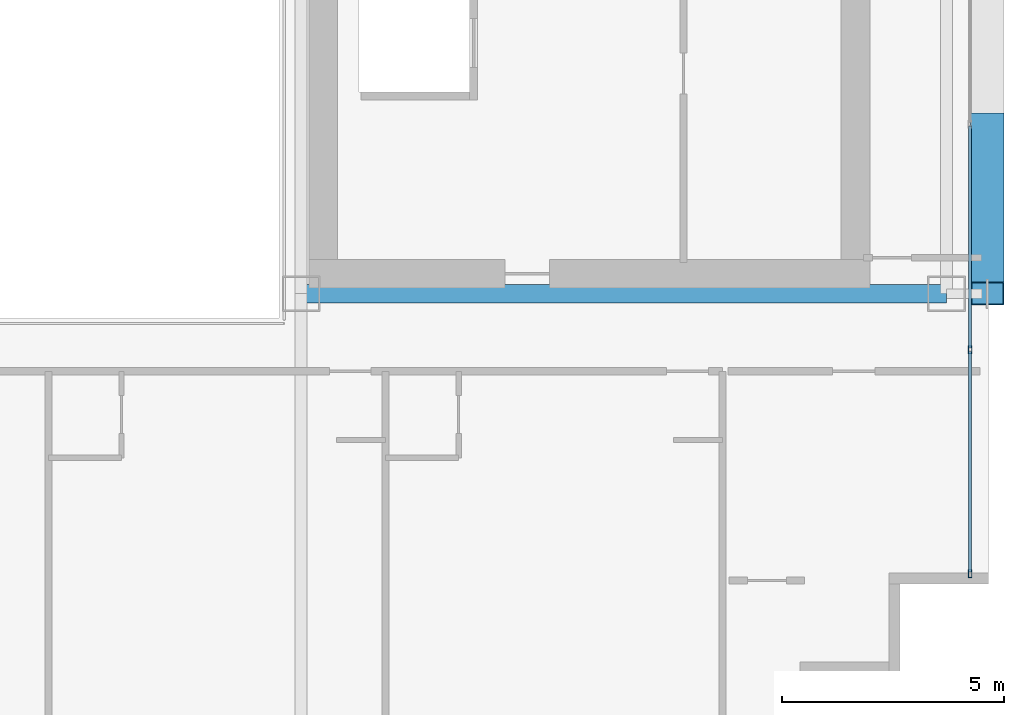
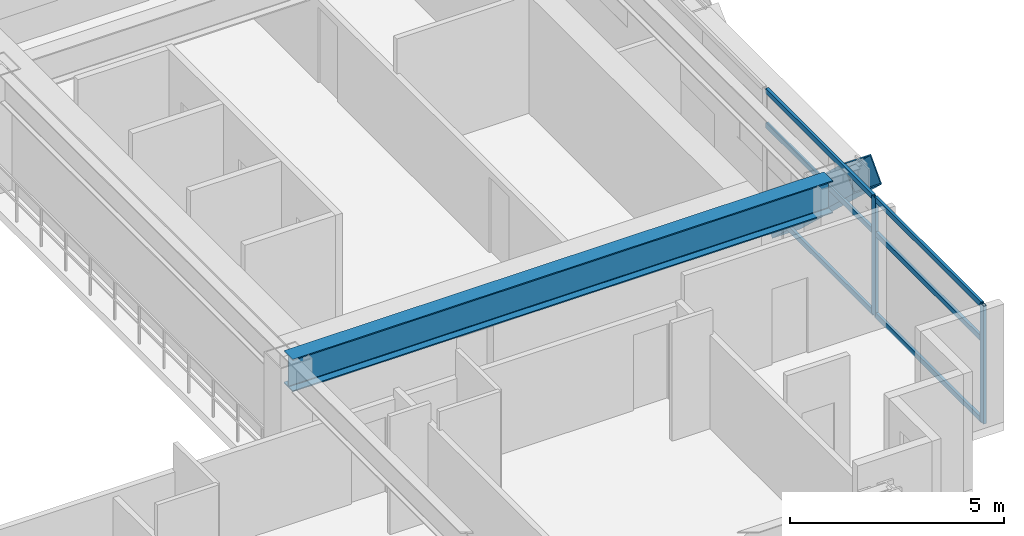
# One storey, part 11 of 35: 9 members, 1 beam, 1 element without a shape of its own.
"""IFC4 building model written with IfcOpenShell, lengths in metres."""

import ifcopenshell
import ifcopenshell.guid

model = None  # the IFC model being written
_history = None  # IfcOwnerHistory: only IFC2X3 demands one
_inside = {}  # id of a spatial element -> (the spatial element, [elements in it])
_under = {}  # id of a project, library or spatial element -> (it, [spatial elements below it])
_declared = {}  # id of a project -> (the project, [libraries it declares])
_typed = {}  # id of a type object -> (the type object, [elements of that type])
_made_of = {}  # id of a material, layer set ... -> (it, [elements and type objects made of it])


def new_model(schema):
    """Start an empty IFC model of exactly this schema.

    Asked for "IFC4X3", IfcOpenShell would pick the latest addendum, in which some entities
    have other attributes; the version numbers below select the first issue.
    IFC2X3 requires an IfcOwnerHistory on every rooted entity: one is made here for all.
    """
    global model, _history
    if schema == "IFC4X3":
        model = ifcopenshell.file(schema_version=(4, 3, 0, 0))
    else:
        model = ifcopenshell.file(schema=schema)
    _inside.clear()
    _under.clear()
    _declared.clear()
    _typed.clear()
    _made_of.clear()
    _history = None
    if model.schema == "IFC2X3":
        org = make("IfcOrganization", Name="unknown")
        user = make(
            "IfcPersonAndOrganization",
            ThePerson=make("IfcPerson", FamilyName="unknown"),
            TheOrganization=org,
        )
        app = make(
            "IfcApplication",
            ApplicationDeveloper=org,
            Version="unknown",
            ApplicationFullName="unknown",
            ApplicationIdentifier="unknown",
        )
        _history = make(
            "IfcOwnerHistory",
            OwningUser=user,
            OwningApplication=app,
            ChangeAction="ADDED",
            CreationDate=0,
        )
    return model


def make(cls, **values):
    """One entity of the class cls with the attributes given. An attribute that is None is left unset."""
    return model.create_entity(
        cls, **{name: value for name, value in values.items() if value is not None}
    )


def rooted(cls, **values):
    """An entity with a GlobalId (a new one), such as an element, a storey or a relation."""
    return make(cls, GlobalId=ifcopenshell.guid.new(), OwnerHistory=_history, **values)


def si_unit(unit_type, name, prefix=None):
    """IfcSIUnit, for example si_unit("LENGTHUNIT", "METRE", prefix="MILLI")."""
    return make("IfcSIUnit", UnitType=unit_type, Prefix=prefix, Name=name)


def assignment(units):
    """IfcUnitAssignment: the units of a project."""
    return None if units is None else make("IfcUnitAssignment", Units=units)


def point(xyz):
    """IfcCartesianPoint."""
    return None if xyz is None else make("IfcCartesianPoint", Coordinates=xyz)


def direction(xyz):
    """IfcDirection."""
    return None if xyz is None else make("IfcDirection", DirectionRatios=xyz)


def frame(location, z_axis=None, x_axis=None):
    """IfcAxis2Placement3D, a coordinate frame: its origin and axes. An axis left out is left unset."""
    return make(
        "IfcAxis2Placement3D",
        Location=point(location),
        Axis=direction(z_axis),
        RefDirection=direction(x_axis),
    )


def frame_2d(location, x_axis=None):
    """IfcAxis2Placement2D, a coordinate frame in the plane: its origin and x axis."""
    return make(
        "IfcAxis2Placement2D", Location=point(location), RefDirection=direction(x_axis)
    )


def origin():
    """The frame at (0, 0, 0) with its axes left unset."""
    return frame((0.0, 0.0, 0.0))


def origin_2d():
    """The frame at (0, 0) in the plane with its x axis left unset."""
    return frame_2d((0.0, 0.0))


def place(relative_to, where):
    """IfcLocalPlacement: puts the frame where relative to a parent placement (None: the world)."""
    return make(
        "IfcLocalPlacement", PlacementRelTo=relative_to, RelativePlacement=where
    )


def context(
    kind, dimensions, precision=None, world=None, true_north=None, identifier=None
):
    """IfcGeometricRepresentationContext, for example the 3D "Model" context."""
    return make(
        "IfcGeometricRepresentationContext",
        ContextIdentifier=identifier,
        ContextType=kind,
        CoordinateSpaceDimension=dimensions,
        Precision=precision,
        WorldCoordinateSystem=world,
        TrueNorth=true_north,
    )


def subcontext(parent, identifier, kind, view, scale=None):
    """IfcGeometricRepresentationSubContext, for example "Body" below "Model"."""
    return make(
        "IfcGeometricRepresentationSubContext",
        ContextIdentifier=identifier,
        ContextType=kind,
        ParentContext=parent,
        TargetScale=scale,
        TargetView=view,
    )


def project(units=None, contexts=None):
    """IfcProject with its units and contexts."""
    return rooted(
        "IfcProject",
        Name="project",
        RepresentationContexts=contexts,
        UnitsInContext=assignment(units),
    )


def spatial(cls, under=None, at=None, **own):
    """A site, building, storey or space (cls), placed at a placement, below another one or the project."""
    s = rooted(cls, ObjectPlacement=at, **own)
    if under is not None:
        _under.setdefault(under.id(), (under, []))[1].append(s)
    return s


def profile(cls, at=None, kind="AREA", **sizes):
    """A parametric profile (cls). Its sizes go by their IFC names, for example OverallWidth=200.0."""
    return make(cls, ProfileType=kind, Position=at, **sizes)


def hollow_rectangle(**sizes):
    """IfcRectangleHollowProfileDef."""
    return profile("IfcRectangleHollowProfileDef", **sizes)


def i_section(**sizes):
    """IfcIShapeProfileDef."""
    return profile("IfcIShapeProfileDef", **sizes)


def extrude(swept, where, along, depth):
    """IfcExtrudedAreaSolid: the profile swept, set in the frame where, extruded along a direction by depth."""
    return make(
        "IfcExtrudedAreaSolid",
        SweptArea=swept,
        Position=where,
        ExtrudedDirection=direction(along),
        Depth=depth,
    )


def shape(context_of_items, identifier, shape_type, items):
    """IfcShapeRepresentation: the items that make up one representation, for example the "Body"."""
    return make(
        "IfcShapeRepresentation",
        ContextOfItems=context_of_items,
        RepresentationIdentifier=identifier,
        RepresentationType=shape_type,
        Items=items,
    )


def source(mapping_origin, context_of_items, identifier, shape_type, items):
    """IfcRepresentationMap: a shape defined once, which mapped items show again and again."""
    return make(
        "IfcRepresentationMap",
        MappingOrigin=mapping_origin,
        MappedRepresentation=shape(context_of_items, identifier, shape_type, items),
    )


def transform(
    local_origin,
    x_axis=None,
    y_axis=None,
    z_axis=None,
    scale=None,
    scale2=None,
    scale3=None,
    uniform=True,
):
    """IfcCartesianTransformationOperator3D, or its non-uniform kind. x_axis, y_axis, z_axis: its Axis1, 2, 3."""
    if uniform:
        return make(
            "IfcCartesianTransformationOperator3D",
            Axis1=direction(x_axis),
            Axis2=direction(y_axis),
            LocalOrigin=point(local_origin),
            Scale=scale,
            Axis3=direction(z_axis),
        )
    return make(
        "IfcCartesianTransformationOperator3DnonUniform",
        Axis1=direction(x_axis),
        Axis2=direction(y_axis),
        LocalOrigin=point(local_origin),
        Scale=scale,
        Axis3=direction(z_axis),
        Scale2=scale2,
        Scale3=scale3,
    )


def mapped(mapping_source, mapping_target):
    """IfcMappedItem: shows the shape of a source again, moved by a transform."""
    return make(
        "IfcMappedItem", MappingSource=mapping_source, MappingTarget=mapping_target
    )


def material(Name=None, Category=None):
    """IfcMaterial."""
    return make("IfcMaterial", Name=Name, Category=Category)


def layer(
    of_material, thickness, ventilated=None, Name=None, Category=None, Priority=None
):
    """IfcMaterialLayer: one layer of a wall or slab, of a material (None: an air gap)."""
    return make(
        "IfcMaterialLayer",
        Material=of_material,
        LayerThickness=thickness,
        IsVentilated=ventilated,
        Name=Name,
        Category=Category,
        Priority=Priority,
    )


def layer_set(layers, Name=None):
    """IfcMaterialLayerSet."""
    return make("IfcMaterialLayerSet", MaterialLayers=layers, LayerSetName=Name)


def material_profile(
    of_material, cross_section, Name=None, Category=None, Priority=None
):
    """IfcMaterialProfile: a cross section and its material."""
    return make(
        "IfcMaterialProfile",
        Name=Name,
        Material=of_material,
        Profile=cross_section,
        Priority=Priority,
        Category=Category,
    )


def profile_set(profiles, Name=None, composite=None):
    """IfcMaterialProfileSet."""
    return make(
        "IfcMaterialProfileSet",
        Name=Name,
        MaterialProfiles=profiles,
        CompositeProfile=composite,
    )


def made_of(thing, what):
    """Note that an element or type object is made of a material, layer set ...; save() writes the relation."""
    if what is not None:
        _made_of.setdefault(what.id(), (what, []))[1].append(thing)
    return thing


def type_object(cls, material=None, **own):
    """A type object (cls), such as IfcWallType, which elements share."""
    return made_of(rooted(cls, **own), material)


def element(
    cls,
    number,
    at=None,
    inside=None,
    cuts=None,
    type_object=None,
    material=None,
    context=None,
    identifier="Body",
    shape_type=None,
    held_by="IfcProductDefinitionShape",
    body=None,
    shapes=None,
    **own,
):
    """One element of the class cls, such as IfcWall. Its Tag is "e" and its number.

    at: its placement. inside: the storey or other place that contains it. cuts: it is an
    opening in that element (IfcRelVoidsElement). A single representation is given by context,
    identifier, shape_type and body (its items); several are given by shapes. held_by: the class
    of the entity that holds the representations. save() writes the other relations.
    """
    e = rooted(cls, Tag="e%d" % number, ObjectPlacement=at, **own)
    if body is not None:
        shapes = [shape(context, identifier, shape_type, body)]
    if shapes is not None:
        e.Representation = make(held_by, Representations=shapes)
    if inside is not None:
        _inside.setdefault(inside.id(), (inside, []))[1].append(e)
    if cuts is not None:
        rooted(
            "IfcRelVoidsElement", RelatingBuildingElement=cuts, RelatedOpeningElement=e
        )
    if type_object is not None:
        _typed.setdefault(type_object.id(), (type_object, []))[1].append(e)
    return made_of(e, material)


def aggregate(whole, parts):
    """IfcRelAggregates: a whole, such as a stair, and the parts it consists of."""
    return rooted("IfcRelAggregates", RelatingObject=whole, RelatedObjects=parts)


def save(model, path):
    """Write the relations noted so far, then the file.

    IfcRelAggregates (storeys below a building ...), IfcRelContainedInSpatialStructure (elements
    in a storey), IfcRelDefinesByType, IfcRelAssociatesMaterial and IfcRelDeclares: one each for
    every whole, place, type object, material and project.
    """
    for whole, parts in _under.values():
        aggregate(whole, parts)
    for where, things in _inside.values():
        rooted(
            "IfcRelContainedInSpatialStructure",
            RelatedElements=things,
            RelatingStructure=where,
        )
    for kind, things in _typed.values():
        rooted("IfcRelDefinesByType", RelatedObjects=things, RelatingType=kind)
    for what, things in _made_of.values():
        rooted("IfcRelAssociatesMaterial", RelatedObjects=things, RelatingMaterial=what)
    for by, libraries in _declared.values():
        rooted("IfcRelDeclares", RelatingContext=by, RelatedDefinitions=libraries)
    model.write(path)


model = new_model("IFC4")

# Units and contexts
model_context = context("Model", 3, precision=1e-05, world=origin(), true_north=direction((0.0, 1.0)))
body_context = subcontext(model_context, "Body", "Model", "MODEL_VIEW")
ifc_project = project(units=[si_unit("LENGTHUNIT", "METRE"), si_unit("AREAUNIT", "SQUARE_METRE"), si_unit("VOLUMEUNIT", "CUBIC_METRE"), si_unit("PLANEANGLEUNIT", "RADIAN"), si_unit("MASSUNIT", "GRAM", prefix="KILO")], contexts=[model_context])

# Site, building, storey
site_placement = place(None, origin())
site = spatial("IfcSite", under=ifc_project, at=site_placement, CompositionType="ELEMENT")
building_placement = place(site_placement, origin())
building = spatial("IfcBuilding", under=site, at=building_placement, Name="Ocotamira Hotel", CompositionType="ELEMENT")
storey_placement = place(building_placement, frame((0.0, 0.0, 144.0)))
storey = spatial("IfcBuildingStorey", under=building, at=storey_placement, Name="L36", CompositionType="ELEMENT", Elevation=144.0)

# Beam
ifc_material_1 = material(Name="Steel ASTM A992 Grade 50", Category="steel")
ifc_material_profile_1 = material_profile(ifc_material_1, i_section(OverallWidth=0.41796875, OverallDepth=0.927001953125, WebThickness=0.019287109375, FlangeThickness=0.031982421875, FilletRadius=0.02392578125, at=origin_2d()), Name="W36X231")
ifc_profile_set_1 = profile_set([ifc_material_profile_1], Name="Steel ASTM A992 Grade 50")
beam_type = type_object("IfcBeamType", Name="BM-GIRD-W36X231", PredefinedType="BEAM", material=ifc_profile_set_1)
shared_shape_1 = source(origin(), body_context, "Body", "SweptSolid", [
    extrude(i_section(OverallWidth=0.41796875, OverallDepth=0.927001953125, WebThickness=0.019287109375, FlangeThickness=0.031982421875, FilletRadius=0.02392578125, at=origin_2d()), origin(), (0.0, 0.0, 1.0), 14.550048828125),
])
beam_placement = place(storey_placement, frame((40.5, 14.550048828125, 2.896484375), z_axis=(1.0, 0.0, 0.0), x_axis=(0.0, 1.0, 0.0)))
element("IfcBeam", 1, at=beam_placement, inside=storey, type_object=beam_type, Name="L36 Girder Y14.55 X40.5-55.05", PredefinedType="BEAM", context=body_context, shape_type="MappedRepresentation", body=[
    mapped(shared_shape_1, transform((0.0, 0.0, 0.0), scale=1.0)),
])

# Member
ifc_material_2 = material(Name="Pale-metal coated steel ASTM A913 Grade 65", Category="steel")
ifc_material_profile_2 = material_profile(ifc_material_2, hollow_rectangle(XDim=0.75, YDim=0.75, WallThickness=0.028076171875, at=origin_2d()), Name="BOX750X750X28")
ifc_profile_set_2 = profile_set([ifc_material_profile_2], Name="Pale-metal coated steel ASTM A913 Grade 65")
member_type_1 = type_object("IfcMemberType", Name="MEM-EXO-BOX750", PredefinedType="BRACE", material=ifc_profile_set_2)
shared_shape_2 = source(origin(), body_context, "Body", "SweptSolid", [
    extrude(hollow_rectangle(XDim=0.75, YDim=0.75, WallThickness=0.028076171875, at=origin_2d()), origin(), (0.0, 0.0, 1.0), 5.24658203125),
])
member_1_placement = place(storey_placement, frame((55.969970703125, 18.36669921875, -0.489990234375), z_axis=(0.0, -0.727442733726, 0.686168397078), x_axis=(1.0, 0.0, 0.0)))
element("IfcMember", 2, at=member_1_placement, inside=storey, type_object=member_type_1, Name="L36 Exoskeleton Diagrid E0.1", PredefinedType="BRACE", context=body_context, shape_type="MappedRepresentation", body=[
    mapped(shared_shape_2, transform((0.0, 0.0, 0.0), scale=1.0)),
])

# Curtain wall, members
ifc_material_3 = material(Name="Anodised pale-metal aluminium and solar glass", Category="aluminium")
ifc_layer = layer(ifc_material_3, 0.179931640625)
ifc_layer_set = layer_set([ifc_layer], Name="Anodised pale-metal aluminium and solar glass")
curtain_wall_type = type_object("IfcCurtainWallType", Name="CW-SYS3-Z2", PredefinedType="NOTDEFINED", material=ifc_layer_set)
curtain_wall_placement = place(storey_placement, origin())
curtain_wall = element("IfcCurtainWall", 3, at=curtain_wall_placement, inside=storey, type_object=curtain_wall_type, Name="L36 Curtain Wall CW-3 CW-L36-E", PredefinedType="NOTDEFINED")
ifc_material_4 = material(Name="Anodised pale-metal aluminium 6063-T6", Category="aluminium")
ifc_material_profile_3 = material_profile(ifc_material_4, hollow_rectangle(XDim=0.074951171875, YDim=0.14990234375, WallThickness=0.006103515625, at=origin_2d()), Name="HSS150X75X6")
ifc_profile_set_3 = profile_set([ifc_material_profile_3], Name="Anodised pale-metal aluminium 6063-T6")
member_type_2 = type_object("IfcMemberType", Name="CWT-150X75", PredefinedType="USERDEFINED", material=ifc_profile_set_3)
shared_shape_3 = source(origin(), body_context, "Body", "SweptSolid", [
    extrude(hollow_rectangle(XDim=0.074951171875, YDim=0.14990234375, WallThickness=0.006103515625, at=origin_2d()), origin(), (0.0, 0.0, 1.0), 4.965576171875),
])
member_2_placement = place(storey_placement, frame((55.580078125, 8.280029296875, 0.03759765625), z_axis=(0.0, 1.0, 0.0), x_axis=(-1.0, 0.0, 0.0)))
member_2 = element("IfcMember", 4, at=member_2_placement, type_object=member_type_2, Name="CW-3 transom 1.1", ObjectType="TRANSOM", PredefinedType="USERDEFINED", context=body_context, shape_type="MappedRepresentation", body=[
    mapped(shared_shape_3, transform((0.0, 0.0, 0.0), scale=1.0)),
])
member_3_placement = place(storey_placement, frame((55.580078125, 8.280029296875, 2.35009765625), z_axis=(0.0, 1.0, 0.0), x_axis=(-1.0, 0.0, 0.0)))
member_3 = element("IfcMember", 5, at=member_3_placement, type_object=member_type_2, Name="CW-3 transom 1.2", ObjectType="TRANSOM", PredefinedType="USERDEFINED", context=body_context, shape_type="MappedRepresentation", body=[
    mapped(shared_shape_3, transform((0.0, 0.0, 0.0), scale=1.0)),
])
member_4_placement = place(storey_placement, frame((55.580078125, 8.280029296875, 3.322509765625), z_axis=(0.0, 1.0, 0.0), x_axis=(-1.0, 0.0, 0.0)))
member_4 = element("IfcMember", 6, at=member_4_placement, type_object=member_type_2, Name="CW-3 transom 1.3", ObjectType="TRANSOM", PredefinedType="USERDEFINED", context=body_context, shape_type="MappedRepresentation", body=[
    mapped(shared_shape_3, transform((0.0, 0.0, 0.0), scale=1.0)),
])
shared_shape_4 = source(origin(), body_context, "Body", "SweptSolid", [
    extrude(hollow_rectangle(XDim=0.074951171875, YDim=0.14990234375, WallThickness=0.006103515625, at=origin_2d()), origin(), (0.0, 0.0, 1.0), 5.005859375),
])
member_5_placement = place(storey_placement, frame((55.580078125, 13.32568359375, 0.03759765625), z_axis=(0.0, 1.0, 0.0), x_axis=(-1.0, 0.0, 0.0)))
member_5 = element("IfcMember", 7, at=member_5_placement, type_object=member_type_2, Name="CW-3 transom 2.1", ObjectType="TRANSOM", PredefinedType="USERDEFINED", context=body_context, shape_type="MappedRepresentation", body=[
    mapped(shared_shape_4, transform((0.0, 0.0, 0.0), scale=1.0)),
])
member_6_placement = place(storey_placement, frame((55.580078125, 13.32568359375, 2.35009765625), z_axis=(0.0, 1.0, 0.0), x_axis=(-1.0, 0.0, 0.0)))
member_6 = element("IfcMember", 8, at=member_6_placement, type_object=member_type_2, Name="CW-3 transom 2.2", ObjectType="TRANSOM", PredefinedType="USERDEFINED", context=body_context, shape_type="MappedRepresentation", body=[
    mapped(shared_shape_4, transform((0.0, 0.0, 0.0), scale=1.0)),
])
member_7_placement = place(storey_placement, frame((55.580078125, 13.32568359375, 3.322509765625), z_axis=(0.0, 1.0, 0.0), x_axis=(-1.0, 0.0, 0.0)))
member_7 = element("IfcMember", 9, at=member_7_placement, type_object=member_type_2, Name="CW-3 transom 2.3", ObjectType="TRANSOM", PredefinedType="USERDEFINED", context=body_context, shape_type="MappedRepresentation", body=[
    mapped(shared_shape_4, transform((0.0, 0.0, 0.0), scale=1.0)),
])
ifc_material_profile_4 = material_profile(ifc_material_4, hollow_rectangle(XDim=0.080078125, YDim=0.179931640625, WallThickness=0.006103515625, at=origin_2d()), Name="HSS180X80X6")
ifc_profile_set_4 = profile_set([ifc_material_profile_4], Name="Anodised pale-metal aluminium 6063-T6")
member_type_3 = type_object("IfcMemberType", Name="CWM-180X75", PredefinedType="MULLION", material=ifc_profile_set_4)
shared_shape_5 = source(origin(), body_context, "Body", "SweptSolid", [
    extrude(hollow_rectangle(XDim=0.080078125, YDim=0.179931640625, WallThickness=0.006103515625, at=origin_2d()), origin(), (0.0, 0.0, 1.0), 3.360107421875),
])
member_8_placement = place(storey_placement, frame((55.580078125, 8.239990234375, 0.0), z_axis=(0.0, 0.0, 1.0), x_axis=(-1.0, 0.0, 0.0)))
member_8 = element("IfcMember", 10, at=member_8_placement, type_object=member_type_3, Name="CW-3 mullion 1", PredefinedType="MULLION", context=body_context, shape_type="MappedRepresentation", body=[
    mapped(shared_shape_5, transform((0.0, 0.0, 0.0), scale=1.0)),
])
member_9_placement = place(storey_placement, frame((55.580078125, 13.28564453125, 0.0), z_axis=(0.0, 0.0, 1.0), x_axis=(-1.0, 0.0, 0.0)))
member_9 = element("IfcMember", 11, at=member_9_placement, type_object=member_type_3, Name="CW-3 mullion 2", PredefinedType="MULLION", context=body_context, shape_type="MappedRepresentation", body=[
    mapped(shared_shape_5, transform((0.0, 0.0, 0.0), scale=1.0)),
])
aggregate(curtain_wall, [member_8, member_9, member_2, member_3, member_4, member_5, member_6, member_7])

save(model, "model.ifc")
